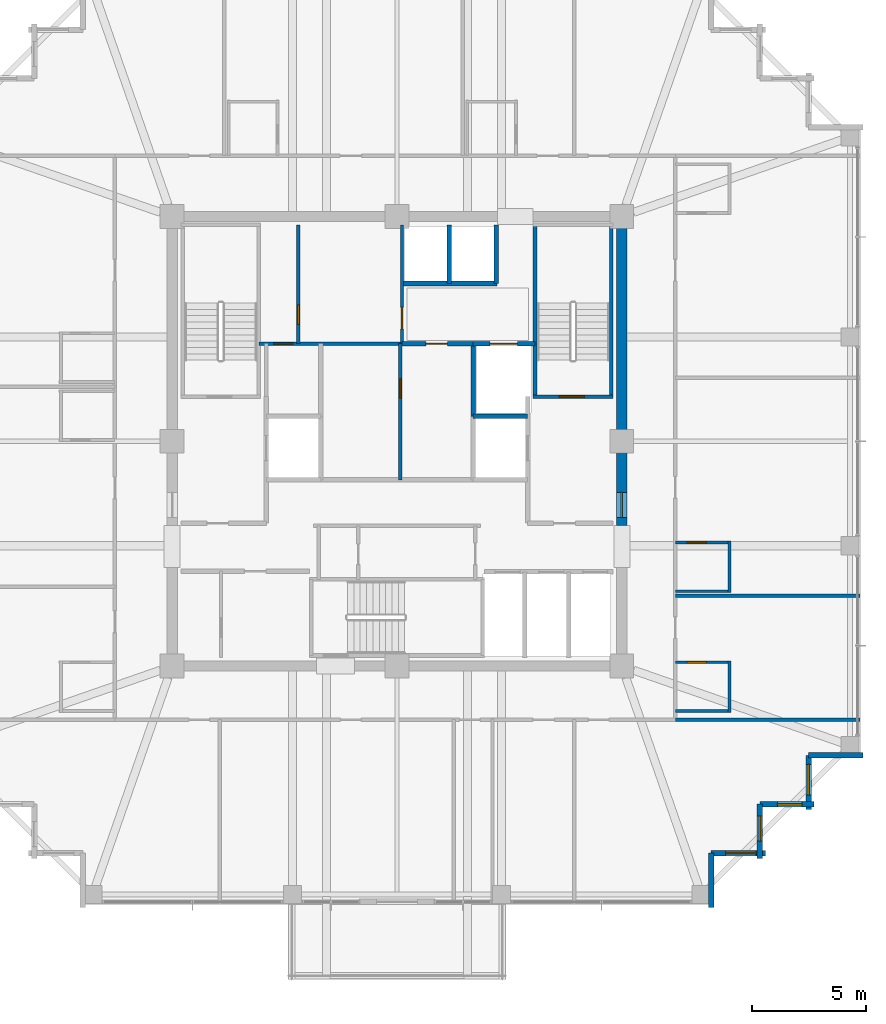
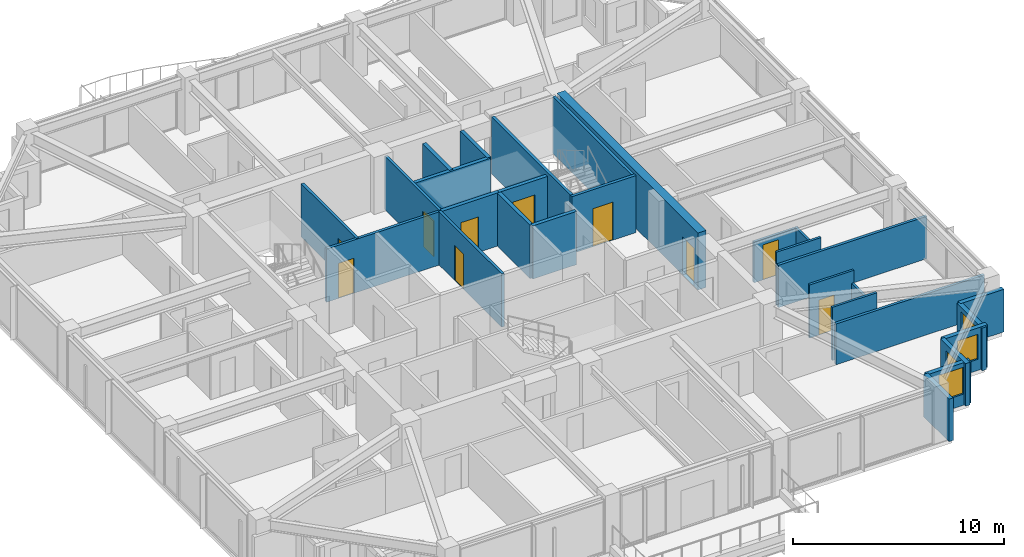
# One storey, part 32 of 36: 29 walls, 10 doors, 4 windows, 14 openings.
"""IFC4 building model written with IfcOpenShell, lengths in metres."""

from ifc_helpers import new_model, si_unit, direction, frame, frame_2d, origin, place, context, subcontext, project, spatial, rectangle, extrude, material, layer, layer_set, type_object, element, fill, save


model = new_model("IFC4")

# Units and contexts
model_context = context("Model", 3, precision=1e-05, world=origin(), true_north=direction((0.0, 1.0)))
body_context = subcontext(model_context, "Body", "Model", "MODEL_VIEW")
ifc_project = project(units=[si_unit("LENGTHUNIT", "METRE"), si_unit("AREAUNIT", "SQUARE_METRE"), si_unit("VOLUMEUNIT", "CUBIC_METRE"), si_unit("PLANEANGLEUNIT", "RADIAN"), si_unit("MASSUNIT", "GRAM", prefix="KILO")], contexts=[model_context])

# Site, building, storey
site_placement = place(None, origin())
site = spatial("IfcSite", under=ifc_project, at=site_placement, CompositionType="ELEMENT")
building_placement = place(site_placement, origin())
building = spatial("IfcBuilding", under=site, at=building_placement, Name="Kolvaren Belvedere", CompositionType="ELEMENT")
storey_placement = place(building_placement, frame((0.0, 0.0, 226.199951171875)))
storey = spatial("IfcBuildingStorey", under=building, at=storey_placement, Name="L66", CompositionType="ELEMENT", Elevation=226.199951171875)

# Wall, opening, door
ifc_material_1 = material(Name="Concrete C50/60", Category="concrete")
ifc_layer_1 = layer(ifc_material_1, 0.449951171875)
ifc_layer_set_1 = layer_set([ifc_layer_1], Name="Concrete C50/60")
wall_type_1 = type_object("IfcWallType", Name="CW-CORE-450", PredefinedType="SHEAR", material=ifc_layer_set_1)
wall_1_placement = place(storey_placement, frame((9.89990234375, -3.699951171875, 0.0), z_axis=(0.0, 0.0, 1.0), x_axis=(0.0, 1.0, 0.0)))
wall_1 = element("IfcWall", 1, at=wall_1_placement, inside=storey, type_object=wall_type_1, Name="L66 East Core Shear Wall 2", PredefinedType="SHEAR", context=body_context, shape_type="SweptSolid", body=[
    extrude(rectangle(XDim=13.375, YDim=0.449951171875, at=frame_2d((6.6875, 0.0))), origin(), (0.0, 0.0, 1.0), 3.300048828125),
])
opening_1_placement = place(wall_1_placement, frame((0.35009765625, 0.0, 0.0)))
opening_1 = element("IfcOpeningElement", 2, at=opening_1_placement, cuts=wall_1, Name="Opening D-FD90", PredefinedType="OPENING", context=body_context, shape_type="SweptSolid", body=[
    extrude(rectangle(XDim=1.10009765625, YDim=2.199951171875, at=frame_2d((0.550048828125, 1.10009765625))), frame((0.0, 0.23486328125, 0.0), z_axis=(0.0, -1.0, 0.0), x_axis=(1.0, 0.0, 0.0)), (0.0, 0.0, 1.0), 0.469970703125),
])
ifc_material_2 = material(Name="Painted hollow stainless steel", Category="steel")
door_type_1 = type_object("IfcDoorType", Name="DR-FD90-1100", OperationType="NOTDEFINED", PredefinedType="DOOR", material=ifc_material_2)
door_1_placement = place(opening_1_placement, origin())
door_1 = element("IfcDoor", 3, at=door_1_placement, inside=storey, type_object=door_type_1, Name="L66 East Firefighting Lobby Fire Door", OperationType="SINGLE_SWING_RIGHT", OverallHeight=2.199951171875, OverallWidth=1.10009765625, PredefinedType="DOOR", context=body_context, shape_type="SweptSolid", body=[
    extrude(rectangle(XDim=1.10009765625, YDim=2.199951171875, at=frame_2d((0.550048828125, 1.10009765625))), frame((0.0, 0.02490234375, 0.0), z_axis=(0.0, -1.0, 0.0), x_axis=(1.0, 0.0, 0.0)), (0.0, 0.0, 1.0), 0.050048828125),
])
fill(opening_1, door_1)

ifc_material_3 = material(Name="Concrete C50/60", Category="concrete")
ifc_layer_2 = layer(ifc_material_3, 0.159912109375)
ifc_layer_set_2 = layer_set([ifc_layer_2], Name="Concrete C50/60")
wall_type_2 = type_object("IfcWallType", Name="CW-STAIR-160", PredefinedType="SHEAR", material=ifc_layer_set_2)
wall_2_placement = place(storey_placement, frame((6.0, 1.969970703125, 0.0), z_axis=(0.0, 0.0, 1.0), x_axis=(1.0, 0.0, 0.0)))
wall_2 = element("IfcWall", 4, at=wall_2_placement, inside=storey, type_object=wall_type_2, Name="L66 Stair ST-2 South Shear Wall", PredefinedType="SHEAR", context=body_context, shape_type="SweptSolid", body=[
    extrude(rectangle(XDim=3.52001953125, YDim=0.159912109375, at=frame_2d((1.760009765625, 0.0))), origin(), (0.0, 0.0, 1.0), 3.300048828125),
])
opening_2_placement = place(wall_2_placement, frame((1.14990234375, 0.0, 0.0)))
opening_2 = element("IfcOpeningElement", 5, at=opening_2_placement, cuts=wall_2, Name="Opening D-FD90", PredefinedType="OPENING", context=body_context, shape_type="SweptSolid", body=[
    extrude(rectangle(XDim=1.10009765625, YDim=2.199951171875, at=frame_2d((0.550048828125, 1.10009765625))), frame((0.0, 0.08984375, 0.0), z_axis=(0.0, -1.0, 0.0), x_axis=(1.0, 0.0, 0.0)), (0.0, 0.0, 1.0), 0.179931640625),
])
door_2_placement = place(opening_2_placement, origin())
door_2 = element("IfcDoor", 6, at=door_2_placement, inside=storey, type_object=door_type_1, Name="L66 Stair ST-2 Fire Door", OperationType="SINGLE_SWING_RIGHT", OverallHeight=2.199951171875, OverallWidth=1.10009765625, PredefinedType="DOOR", context=body_context, shape_type="SweptSolid", body=[
    extrude(rectangle(XDim=1.10009765625, YDim=2.199951171875, at=frame_2d((0.550048828125, 1.10009765625))), frame((0.0, 0.02490234375, 0.0), z_axis=(0.0, -1.0, 0.0), x_axis=(1.0, 0.0, 0.0)), (0.0, 0.0, 1.0), 0.050048828125),
])
fill(opening_2, door_2)

# Walls
for number, where, z_axis, x_axis, name in (
    (7, (6.080078125, 1.969970703125, 0.0), (0.0, 0.0, 1.0), (0.0, 1.0, 0.0), "L66 Stair ST-2 West Shear Wall"),
    (8, (9.429931640625, 1.969970703125, 0.0), (0.0, 0.0, 1.0), (0.0, 1.0, 0.0), "L66 Stair ST-2 East Shear Wall"),
):
    element("IfcWall", number, at=place(storey_placement, frame(where, z_axis=z_axis, x_axis=x_axis)), inside=storey, type_object=wall_type_2, Name=name, PredefinedType="SHEAR", context=body_context, shape_type="SweptSolid", body=[
        extrude(rectangle(XDim=7.56005859375, YDim=0.159912109375, at=frame_2d((3.780029296875, 0.0))), origin(), (0.0, 0.0, 1.0), 3.300048828125),
    ])
ifc_material_4 = material(Name="Insulated pale-metal facade wall assembly", Category="aluminium")
ifc_layer_3 = layer(ifc_material_4, 0.239990234375)
ifc_layer_set_3 = layer_set([ifc_layer_3], Name="Insulated pale-metal facade wall assembly")
wall_type_3 = type_object("IfcWallType", Name="WL-EXT-240", PredefinedType="STANDARD", material=ifc_layer_set_3)
wall_3_placement = place(storey_placement, frame((13.830078125, -18.1298828125, 0.0), z_axis=(0.0, 0.0, 1.0), x_axis=(0.0, -1.0, 0.0)))
element("IfcWall", 9, at=wall_3_placement, inside=storey, type_object=wall_type_3, Name="L66 Serrated Corner Facade Wall 2", PredefinedType="STANDARD", context=body_context, shape_type="SweptSolid", body=[
    extrude(rectangle(XDim=2.39013671875, YDim=0.239990234375, at=frame_2d((1.195068359375, 0.0))), origin(), (0.0, 0.0, 1.0), 2.463134765625),
])

# Wall, opening, window
wall_4_placement = place(storey_placement, frame((16.219970703125, -18.1298828125, 0.0), z_axis=(0.0, 0.0, 1.0), x_axis=(-1.0, 0.0, 0.0)))
wall_4 = element("IfcWall", 10, at=wall_4_placement, inside=storey, type_object=wall_type_3, Name="L66 Serrated Corner Facade Wall 3", PredefinedType="STANDARD", context=body_context, shape_type="SweptSolid", body=[
    extrude(rectangle(XDim=2.389892578125, YDim=0.239990234375, at=frame_2d((1.19482421875, 0.0))), origin(), (0.0, 0.0, 1.0), 2.463134765625),
])
opening_3_placement = place(wall_4_placement, frame((0.39990234375, 0.0, 0.64990234375)))
opening_3 = element("IfcOpeningElement", 11, at=opening_3_placement, cuts=wall_4, Name="Opening W-1350", PredefinedType="OPENING", context=body_context, shape_type="SweptSolid", body=[
    extrude(rectangle(XDim=1.35009765625, YDim=1.550048828125, at=frame_2d((0.675048828125, 0.77490234375))), frame((0.0, 0.1298828125, 0.0), z_axis=(0.0, -1.0, 0.0), x_axis=(1.0, 0.0, 0.0)), (0.0, 0.0, 1.0), 0.260009765625),
])
ifc_material_5 = material(Name="Low-iron triple insulated glass", Category="glass")
window_type_1 = type_object("IfcWindowType", Name="WN-CORN-1350", PartitioningType="SINGLE_PANEL", PredefinedType="WINDOW", material=ifc_material_5)
window_1_placement = place(opening_3_placement, origin())
window_1 = element("IfcWindow", 12, at=window_1_placement, inside=storey, type_object=window_type_1, Name="L66 Serrated Corner Vision Window 3", OverallHeight=1.550048828125, OverallWidth=1.35009765625, PartitioningType="SINGLE_PANEL", PredefinedType="WINDOW", context=body_context, shape_type="SweptSolid", body=[
    extrude(rectangle(XDim=1.35009765625, YDim=1.550048828125, at=frame_2d((0.675048828125, 0.77490234375))), frame((0.0, 0.030029296875, 0.0), z_axis=(0.0, -1.0, 0.0), x_axis=(1.0, 0.0, 0.0)), (0.0, 0.0, 1.0), 0.06005859375),
])
fill(opening_3, window_1)

wall_5_placement = place(storey_placement, frame((15.97998046875, -15.97998046875, 0.0), z_axis=(0.0, 0.0, 1.0), x_axis=(0.0, -1.0, 0.0)))
wall_5 = element("IfcWall", 13, at=wall_5_placement, inside=storey, type_object=wall_type_3, Name="L66 Serrated Corner Facade Wall 4", PredefinedType="STANDARD", context=body_context, shape_type="SweptSolid", body=[
    extrude(rectangle(XDim=2.39013671875, YDim=0.239990234375, at=frame_2d((1.195068359375, 0.0))), origin(), (0.0, 0.0, 1.0), 2.463134765625),
])
opening_4_placement = place(wall_5_placement, frame((0.52490234375, 0.0, 0.64990234375)))
opening_4 = element("IfcOpeningElement", 14, at=opening_4_placement, cuts=wall_5, Name="Opening W-1100", PredefinedType="OPENING", context=body_context, shape_type="SweptSolid", body=[
    extrude(rectangle(XDim=1.10009765625, YDim=1.449951171875, at=frame_2d((0.550048828125, 0.72509765625))), frame((0.0, 0.1298828125, 0.0), z_axis=(0.0, -1.0, 0.0), x_axis=(1.0, 0.0, 0.0)), (0.0, 0.0, 1.0), 0.260009765625),
])
ifc_material_6 = material(Name="Low-iron triple insulated glass", Category="glass")
window_type_2 = type_object("IfcWindowType", Name="WN-CORN-1100", PartitioningType="SINGLE_PANEL", PredefinedType="WINDOW", material=ifc_material_6)
window_2_placement = place(opening_4_placement, origin())
window_2 = element("IfcWindow", 15, at=window_2_placement, inside=storey, type_object=window_type_2, Name="L66 Serrated Corner Vision Window 4", OverallHeight=1.449951171875, OverallWidth=1.10009765625, PartitioningType="SINGLE_PANEL", PredefinedType="WINDOW", context=body_context, shape_type="SweptSolid", body=[
    extrude(rectangle(XDim=1.10009765625, YDim=1.449951171875, at=frame_2d((0.550048828125, 0.72509765625))), frame((0.0, 0.030029296875, 0.0), z_axis=(0.0, -1.0, 0.0), x_axis=(1.0, 0.0, 0.0)), (0.0, 0.0, 1.0), 0.06005859375),
])
fill(opening_4, window_2)

wall_6_placement = place(storey_placement, frame((18.3701171875, -15.97998046875, 0.0), z_axis=(0.0, 0.0, 1.0), x_axis=(-1.0, 0.0, 0.0)))
wall_6 = element("IfcWall", 16, at=wall_6_placement, inside=storey, type_object=wall_type_3, Name="L66 Serrated Corner Facade Wall 5", PredefinedType="STANDARD", context=body_context, shape_type="SweptSolid", body=[
    extrude(rectangle(XDim=2.39013671875, YDim=0.239990234375, at=frame_2d((1.195068359375, 0.0))), origin(), (0.0, 0.0, 1.0), 2.463134765625),
])
opening_5_placement = place(wall_6_placement, frame((0.52490234375, 0.0, 0.64990234375)))
opening_5 = element("IfcOpeningElement", 17, at=opening_5_placement, cuts=wall_6, Name="Opening W-1100", PredefinedType="OPENING", context=body_context, shape_type="SweptSolid", body=[
    extrude(rectangle(XDim=1.10009765625, YDim=1.449951171875, at=frame_2d((0.550048828125, 0.72509765625))), frame((0.0, 0.1298828125, 0.0), z_axis=(0.0, -1.0, 0.0), x_axis=(1.0, 0.0, 0.0)), (0.0, 0.0, 1.0), 0.260009765625),
])
window_3_placement = place(opening_5_placement, origin())
window_3 = element("IfcWindow", 18, at=window_3_placement, inside=storey, type_object=window_type_2, Name="L66 Serrated Corner Vision Window 5", OverallHeight=1.449951171875, OverallWidth=1.10009765625, PartitioningType="SINGLE_PANEL", PredefinedType="WINDOW", context=body_context, shape_type="SweptSolid", body=[
    extrude(rectangle(XDim=1.10009765625, YDim=1.449951171875, at=frame_2d((0.550048828125, 0.72509765625))), frame((0.0, 0.030029296875, 0.0), z_axis=(0.0, -1.0, 0.0), x_axis=(1.0, 0.0, 0.0)), (0.0, 0.0, 1.0), 0.06005859375),
])
fill(opening_5, window_3)

wall_7_placement = place(storey_placement, frame((18.1298828125, -13.830078125, 0.0), z_axis=(0.0, 0.0, 1.0), x_axis=(0.0, -1.0, 0.0)))
wall_7 = element("IfcWall", 19, at=wall_7_placement, inside=storey, type_object=wall_type_3, Name="L66 Serrated Corner Facade Wall 6", PredefinedType="STANDARD", context=body_context, shape_type="SweptSolid", body=[
    extrude(rectangle(XDim=2.389892578125, YDim=0.239990234375, at=frame_2d((1.19482421875, 0.0))), origin(), (0.0, 0.0, 1.0), 2.463134765625),
])
opening_6_placement = place(wall_7_placement, frame((0.39990234375, 0.0, 0.64990234375)))
opening_6 = element("IfcOpeningElement", 20, at=opening_6_placement, cuts=wall_7, Name="Opening W-1350", PredefinedType="OPENING", context=body_context, shape_type="SweptSolid", body=[
    extrude(rectangle(XDim=1.35009765625, YDim=1.550048828125, at=frame_2d((0.675048828125, 0.77490234375))), frame((0.0, 0.1298828125, 0.0), z_axis=(0.0, -1.0, 0.0), x_axis=(1.0, 0.0, 0.0)), (0.0, 0.0, 1.0), 0.260009765625),
])
window_4_placement = place(opening_6_placement, origin())
window_4 = element("IfcWindow", 21, at=window_4_placement, inside=storey, type_object=window_type_1, Name="L66 Serrated Corner Vision Window 6", OverallHeight=1.550048828125, OverallWidth=1.35009765625, PartitioningType="SINGLE_PANEL", PredefinedType="WINDOW", context=body_context, shape_type="SweptSolid", body=[
    extrude(rectangle(XDim=1.35009765625, YDim=1.550048828125, at=frame_2d((0.675048828125, 0.77490234375))), frame((0.0, 0.030029296875, 0.0), z_axis=(0.0, -1.0, 0.0), x_axis=(1.0, 0.0, 0.0)), (0.0, 0.0, 1.0), 0.06005859375),
])
fill(opening_6, window_4)

# Wall
wall_8_placement = place(storey_placement, frame((20.52001953125, -13.830078125, 0.0), z_axis=(0.0, 0.0, 1.0), x_axis=(-1.0, 0.0, 0.0)))
element("IfcWall", 22, at=wall_8_placement, inside=storey, type_object=wall_type_3, Name="L66 Serrated Corner Facade Wall 7", PredefinedType="STANDARD", context=body_context, shape_type="SweptSolid", body=[
    extrude(rectangle(XDim=2.39013671875, YDim=0.239990234375, at=frame_2d((1.195068359375, 0.0))), origin(), (0.0, 0.0, 1.0), 2.463134765625),
])

# Wall, opening, door
ifc_material_7 = material(Name="Gypsum acoustic partition assembly", Category="gypsum")
ifc_layer_4 = layer(ifc_material_7, 0.14990234375)
ifc_layer_set_4 = layer_set([ifc_layer_4], Name="Gypsum acoustic partition assembly")
wall_type_4 = type_object("IfcWallType", Name="WL-PART-150", PredefinedType="PARTITIONING", material=ifc_layer_set_4)
wall_9_placement = place(storey_placement, frame((-6.080078125, 4.300048828125, 0.0), z_axis=(0.0, 0.0, 1.0), x_axis=(1.0, 0.0, 0.0)))
wall_9 = element("IfcWall", 23, at=wall_9_placement, inside=storey, type_object=wall_type_4, Name="L66 Reclaimed Salon South Wall", PredefinedType="PARTITIONING", context=body_context, shape_type="SweptSolid", body=[
    extrude(rectangle(XDim=6.300048828125, YDim=0.14990234375, at=frame_2d((3.14990234375, 0.0))), origin(), (0.0, 0.0, 1.0), 3.080078125),
])
opening_7_placement = place(wall_9_placement, frame((0.64990234375, 0.0, 0.0)))
opening_7 = element("IfcOpeningElement", 24, at=opening_7_placement, cuts=wall_9, Name="Opening D-INT85", PredefinedType="OPENING", context=body_context, shape_type="SweptSolid", body=[
    extrude(rectangle(XDim=0.85009765625, YDim=2.030029296875, at=frame_2d((0.425048828125, 1.01513671875))), frame((0.0, 0.0849609375, 0.0), z_axis=(0.0, -1.0, 0.0), x_axis=(1.0, 0.0, 0.0)), (0.0, 0.0, 1.0), 0.169921875),
])
ifc_material_8 = material(Name="Stained Pacific white oak", Category="timber")
door_type_2 = type_object("IfcDoorType", Name="DR-INT-850", OperationType="NOTDEFINED", PredefinedType="DOOR", material=ifc_material_8)
door_3_placement = place(opening_7_placement, origin())
door_3 = element("IfcDoor", 25, at=door_3_placement, inside=storey, type_object=door_type_2, Name="L66 NW Core Store Door", OperationType="SINGLE_SWING_RIGHT", OverallHeight=2.030029296875, OverallWidth=0.85009765625, PredefinedType="DOOR", context=body_context, shape_type="SweptSolid", body=[
    extrude(rectangle(XDim=0.85009765625, YDim=2.030029296875, at=frame_2d((0.425048828125, 1.01513671875))), frame((0.0, 0.02490234375, 0.0), z_axis=(0.0, -1.0, 0.0), x_axis=(1.0, 0.0, 0.0)), (0.0, 0.0, 1.0), 0.050048828125),
])
fill(opening_7, door_3)

wall_10_placement = place(storey_placement, frame((0.219970703125, 4.300048828125, 0.0), z_axis=(0.0, 0.0, 1.0), x_axis=(0.0, 1.0, 0.0)))
wall_10 = element("IfcWall", 26, at=wall_10_placement, inside=storey, type_object=wall_type_4, Name="L66 Reclaimed Salon East Wall", PredefinedType="PARTITIONING", context=body_context, shape_type="SweptSolid", body=[
    extrude(rectangle(XDim=5.219970703125, YDim=0.14990234375, at=frame_2d((2.60986328125, 0.0))), origin(), (0.0, 0.0, 1.0), 3.080078125),
])
opening_8_placement = place(wall_10_placement, frame((0.64990234375, 0.0, 0.0)))
opening_8 = element("IfcOpeningElement", 27, at=opening_8_placement, cuts=wall_10, Name="Opening D-INT95", PredefinedType="OPENING", context=body_context, shape_type="SweptSolid", body=[
    extrude(rectangle(XDim=0.949951171875, YDim=2.06005859375, at=frame_2d((0.47509765625, 1.030029296875))), frame((0.0, 0.0849609375, 0.0), z_axis=(0.0, -1.0, 0.0), x_axis=(1.0, 0.0, 0.0)), (0.0, 0.0, 1.0), 0.169921875),
])
ifc_material_9 = material(Name="Stained Pacific white oak", Category="timber")
door_type_3 = type_object("IfcDoorType", Name="DR-INT-950", OperationType="NOTDEFINED", PredefinedType="DOOR", material=ifc_material_9)
door_4_placement = place(opening_8_placement, origin())
door_4 = element("IfcDoor", 28, at=door_4_placement, inside=storey, type_object=door_type_3, Name="L66 Art Salon Door", OperationType="SINGLE_SWING_LEFT", OverallHeight=2.06005859375, OverallWidth=0.949951171875, PredefinedType="DOOR", context=body_context, shape_type="SweptSolid", body=[
    extrude(rectangle(XDim=0.949951171875, YDim=2.06005859375, at=frame_2d((0.47509765625, 1.030029296875))), frame((0.0, 0.02490234375, 0.0), z_axis=(0.0, -1.0, 0.0), x_axis=(1.0, 0.0, 0.0)), (0.0, 0.0, 1.0), 0.050048828125),
])
fill(opening_8, door_4)

wall_11_placement = place(storey_placement, frame((-4.35009765625, 4.300048828125, 0.0), z_axis=(0.0, 0.0, 1.0), x_axis=(0.0, 1.0, 0.0)))
wall_11 = element("IfcWall", 29, at=wall_11_placement, inside=storey, type_object=wall_type_4, Name="L66 Reclaimed Archive Divider", PredefinedType="PARTITIONING", context=body_context, shape_type="SweptSolid", body=[
    extrude(rectangle(XDim=5.219970703125, YDim=0.14990234375, at=frame_2d((2.60986328125, 0.0))), origin(), (0.0, 0.0, 1.0), 3.080078125),
])
opening_9_placement = place(wall_11_placement, frame((0.85009765625, 0.0, 0.0)))
opening_9 = element("IfcOpeningElement", 30, at=opening_9_placement, cuts=wall_11, Name="Opening D-INT85", PredefinedType="OPENING", context=body_context, shape_type="SweptSolid", body=[
    extrude(rectangle(XDim=0.85009765625, YDim=2.030029296875, at=frame_2d((0.425048828125, 1.01513671875))), frame((0.0, 0.0849609375, 0.0), z_axis=(0.0, -1.0, 0.0), x_axis=(1.0, 0.0, 0.0)), (0.0, 0.0, 1.0), 0.169921875),
])
door_5_placement = place(opening_9_placement, origin())
door_5 = element("IfcDoor", 31, at=door_5_placement, inside=storey, type_object=door_type_2, Name="L66 Archive Store Door", OperationType="SINGLE_SWING_RIGHT", OverallHeight=2.030029296875, OverallWidth=0.85009765625, PredefinedType="DOOR", context=body_context, shape_type="SweptSolid", body=[
    extrude(rectangle(XDim=0.85009765625, YDim=2.030029296875, at=frame_2d((0.425048828125, 1.01513671875))), frame((0.0, 0.02490234375, 0.0), z_axis=(0.0, -1.0, 0.0), x_axis=(1.0, 0.0, 0.0)), (0.0, 0.0, 1.0), 0.050048828125),
])
fill(opening_9, door_5)

wall_12_placement = place(storey_placement, frame((0.14990234375, -1.699951171875, 0.0), z_axis=(0.0, 0.0, 1.0), x_axis=(0.0, 1.0, 0.0)))
wall_12 = element("IfcWall", 32, at=wall_12_placement, inside=storey, type_object=wall_type_4, Name="L66 Central Core V-Divider", PredefinedType="PARTITIONING", context=body_context, shape_type="SweptSolid", body=[
    extrude(rectangle(XDim=6.0, YDim=0.14990234375, at=frame_2d((3.0, 0.0))), origin(), (0.0, 0.0, 1.0), 3.080078125),
])
opening_10_placement = place(wall_12_placement, frame((3.60009765625, 0.0, 0.0)))
opening_10 = element("IfcOpeningElement", 33, at=opening_10_placement, cuts=wall_12, Name="Opening D-INT85", PredefinedType="OPENING", context=body_context, shape_type="SweptSolid", body=[
    extrude(rectangle(XDim=0.85009765625, YDim=2.030029296875, at=frame_2d((0.425048828125, 1.01513671875))), frame((0.0, 0.0849609375, 0.0), z_axis=(0.0, -1.0, 0.0), x_axis=(1.0, 0.0, 0.0)), (0.0, 0.0, 1.0), 0.169921875),
])
door_6_placement = place(opening_10_placement, origin())
door_6 = element("IfcDoor", 34, at=door_6_placement, inside=storey, type_object=door_type_2, Name="L66 Central Linen Door", OperationType="SINGLE_SWING_RIGHT", OverallHeight=2.030029296875, OverallWidth=0.85009765625, PredefinedType="DOOR", context=body_context, shape_type="SweptSolid", body=[
    extrude(rectangle(XDim=0.85009765625, YDim=2.030029296875, at=frame_2d((0.425048828125, 1.01513671875))), frame((0.0, 0.02490234375, 0.0), z_axis=(0.0, -1.0, 0.0), x_axis=(1.0, 0.0, 0.0)), (0.0, 0.0, 1.0), 0.050048828125),
])
fill(opening_10, door_6)

# Walls
wall_13_placement = place(storey_placement, frame((12.260009765625, -12.260009765625, 0.0), z_axis=(0.0, 0.0, 1.0), x_axis=(1.0, 0.0, 0.0)))
element("IfcWall", 35, at=wall_13_placement, inside=storey, type_object=wall_type_4, Name="L66 Wing Divider PW-L66-QSE", PredefinedType="PARTITIONING", context=body_context, shape_type="SweptSolid", body=[
    extrude(rectangle(XDim=8.119873046875, YDim=0.14990234375, at=frame_2d((4.06005859375, 0.0))), origin(), (0.0, 0.0, 1.0), 2.369140625),
])
wall_14_placement = place(storey_placement, frame((12.260009765625, -6.800048828125, 0.0), z_axis=(0.0, 0.0, 1.0), x_axis=(1.0, 0.0, 0.0)))
element("IfcWall", 36, at=wall_14_placement, inside=storey, type_object=wall_type_4, Name="L66 East Suite Demising Wall 1", PredefinedType="PARTITIONING", context=body_context, shape_type="SweptSolid", body=[
    extrude(rectangle(XDim=8.119873046875, YDim=0.14990234375, at=frame_2d((4.06005859375, 0.0))), origin(), (0.0, 0.0, 1.0), 2.453125),
])
ifc_material_10 = material(Name="Concrete C50/60", Category="concrete")
ifc_layer_5 = layer(ifc_material_10, 0.199951171875)
ifc_layer_set_5 = layer_set([ifc_layer_5], Name="Concrete C50/60")
wall_type_5 = type_object("IfcWallType", Name="WL-SHAFT-200", PredefinedType="SOLIDWALL", material=ifc_layer_set_5)
wall_15_placement = place(storey_placement, frame((3.35009765625, 1.10009765625, 0.0), z_axis=(0.0, 0.0, 1.0), x_axis=(1.0, 0.0, 0.0)))
element("IfcWall", 37, at=wall_15_placement, inside=storey, type_object=wall_type_5, Name="L66 FSAE FS2 North Wall", PredefinedType="SOLIDWALL", context=body_context, shape_type="SweptSolid", body=[
    extrude(rectangle(XDim=2.39990234375, YDim=0.199951171875, at=frame_2d((1.199951171875, 0.0))), origin(), (0.0, 0.0, 1.0), 3.080078125),
])

# Wall, opening, door
wall_16_placement = place(storey_placement, frame((3.35009765625, 4.300048828125, 0.0), z_axis=(0.0, 0.0, 1.0), x_axis=(1.0, 0.0, 0.0)))
wall_16 = element("IfcWall", 38, at=wall_16_placement, inside=storey, type_object=wall_type_5, Name="L66 Service Lift SV1 Front Wall", PredefinedType="SOLIDWALL", context=body_context, shape_type="SweptSolid", body=[
    extrude(rectangle(XDim=2.72998046875, YDim=0.199951171875, at=frame_2d((1.364990234375, 0.0))), origin(), (0.0, 0.0, 1.0), 3.080078125),
])
opening_11_placement = place(wall_16_placement, frame((0.75, 0.0, 0.0)))
opening_11 = element("IfcOpeningElement", 39, at=opening_11_placement, cuts=wall_16, Name="Opening LD-12", PredefinedType="OPENING", context=body_context, shape_type="SweptSolid", body=[
    extrude(rectangle(XDim=1.199951171875, YDim=2.25, at=frame_2d((0.60009765625, 1.125))), frame((0.0, 0.10986328125, 0.0), z_axis=(0.0, -1.0, 0.0), x_axis=(1.0, 0.0, 0.0)), (0.0, 0.0, 1.0), 0.219970703125),
])
ifc_material_11 = material(Name="Brushed stainless steel", Category="steel")
door_type_4 = type_object("IfcDoorType", Name="DR-LIFT-1200", OperationType="DOUBLE_DOOR_SLIDING", PredefinedType="DOOR", material=ifc_material_11)
door_7_placement = place(opening_11_placement, origin())
door_7 = element("IfcDoor", 40, at=door_7_placement, inside=storey, type_object=door_type_4, Name="L66 Service Lift SV1 Landing Door", OperationType="DOUBLE_DOOR_SLIDING", OverallHeight=2.25, OverallWidth=1.199951171875, PredefinedType="DOOR", context=body_context, shape_type="SweptSolid", body=[
    extrude(rectangle(XDim=1.199951171875, YDim=2.25, at=frame_2d((0.60009765625, 1.125))), frame((0.0, 0.02490234375, 0.0), z_axis=(0.0, -1.0, 0.0), x_axis=(1.0, 0.0, 0.0)), (0.0, 0.0, 1.0), 0.050048828125),
])
fill(opening_11, door_7)

# Walls
wall_17_placement = place(storey_placement, frame((0.219970703125, 6.949951171875, 0.0), z_axis=(0.0, 0.0, 1.0), x_axis=(1.0, 0.0, 0.0)))
element("IfcWall", 41, at=wall_17_placement, inside=storey, type_object=wall_type_5, Name="L66 Express Shuttle Hoistway Wall", PredefinedType="SOLIDWALL", context=body_context, shape_type="SweptSolid", body=[
    extrude(rectangle(XDim=4.179931640625, YDim=0.199951171875, at=frame_2d((2.08984375, 0.0))), origin(), (0.0, 0.0, 1.0), 3.080078125),
])
for number, where, z_axis, x_axis, name in (
    (42, (4.3798828125, 6.949951171875, 0.0), (0.0, 0.0, 1.0), (0.0, 1.0, 0.0), "L66 Express Shuttle East Wall"),
    (43, (2.31005859375, 6.949951171875, 0.0), (0.0, 0.0, 1.0), (0.0, 1.0, 0.0), "L66 Express Shuttle Divider"),
):
    element("IfcWall", number, at=place(storey_placement, frame(where, z_axis=z_axis, x_axis=x_axis)), inside=storey, type_object=wall_type_5, Name=name, PredefinedType="SOLIDWALL", context=body_context, shape_type="SweptSolid", body=[
        extrude(rectangle(XDim=2.570068359375, YDim=0.199951171875, at=frame_2d((1.28515625, 0.0))), origin(), (0.0, 0.0, 1.0), 3.080078125),
    ])

# Wall, opening, door
wall_18_placement = place(storey_placement, frame((0.219970703125, 4.300048828125, 0.0), z_axis=(0.0, 0.0, 1.0), x_axis=(1.0, 0.0, 0.0)))
wall_18 = element("IfcWall", 44, at=wall_18_placement, inside=storey, type_object=wall_type_5, Name="L66 Central Core Room North Wall", PredefinedType="SOLIDWALL", context=body_context, shape_type="SweptSolid", body=[
    extrude(rectangle(XDim=3.130126953125, YDim=0.199951171875, at=frame_2d((1.56494140625, 0.0))), origin(), (0.0, 0.0, 1.0), 3.080078125),
])
opening_12_placement = place(wall_18_placement, frame((1.050048828125, 0.0, 0.0)))
opening_12 = element("IfcOpeningElement", 45, at=opening_12_placement, cuts=wall_18, Name="Opening D-FD60", PredefinedType="OPENING", context=body_context, shape_type="SweptSolid", body=[
    extrude(rectangle(XDim=0.949951171875, YDim=2.06005859375, at=frame_2d((0.47509765625, 1.030029296875))), frame((0.0, 0.10986328125, 0.0), z_axis=(0.0, -1.0, 0.0), x_axis=(1.0, 0.0, 0.0)), (0.0, 0.0, 1.0), 0.219970703125),
])
ifc_material_12 = material(Name="Acoustic white-oak fire door leaf", Category="timber")
door_type_5 = type_object("IfcDoorType", Name="DR-FD60-950", OperationType="NOTDEFINED", PredefinedType="DOOR", material=ifc_material_12)
door_8_placement = place(opening_12_placement, origin())
door_8 = element("IfcDoor", 46, at=door_8_placement, inside=storey, type_object=door_type_5, Name="L66 Central Core Controls Door", OperationType="SINGLE_SWING_LEFT", OverallHeight=2.06005859375, OverallWidth=0.949951171875, PredefinedType="DOOR", context=body_context, shape_type="SweptSolid", body=[
    extrude(rectangle(XDim=0.949951171875, YDim=2.06005859375, at=frame_2d((0.47509765625, 1.030029296875))), frame((0.0, 0.02490234375, 0.0), z_axis=(0.0, -1.0, 0.0), x_axis=(1.0, 0.0, 0.0)), (0.0, 0.0, 1.0), 0.050048828125),
])
fill(opening_12, door_8)

# Wall
wall_19_placement = place(storey_placement, frame((3.35009765625, 1.10009765625, 0.0), z_axis=(0.0, 0.0, 1.0), x_axis=(0.0, 1.0, 0.0)))
element("IfcWall", 47, at=wall_19_placement, inside=storey, type_object=wall_type_5, Name="L66 Central Core Room East Wall", PredefinedType="SOLIDWALL", context=body_context, shape_type="SweptSolid", body=[
    extrude(rectangle(XDim=3.199951171875, YDim=0.199951171875, at=frame_2d((1.60009765625, 0.0))), origin(), (0.0, 0.0, 1.0), 3.080078125),
])

# Wall, opening, door
ifc_material_13 = material(Name="Moisture-resistant gypsum partition", Category="gypsum")
ifc_layer_6 = layer(ifc_material_13, 0.125)
ifc_layer_set_6 = layer_set([ifc_layer_6], Name="Moisture-resistant gypsum partition")
wall_type_6 = type_object("IfcWallType", Name="WL-WET-125", PredefinedType="PARTITIONING", material=ifc_layer_set_6)
wall_20_placement = place(storey_placement, frame((12.27490234375, -9.73095703125, 0.0), z_axis=(0.0, 0.0, 1.0), x_axis=(1.0, 0.0, 0.0)))
wall_20 = element("IfcWall", 48, at=wall_20_placement, inside=storey, type_object=wall_type_6, Name="L66 Bathroom Partition PW-L66-BTH-4-N", PredefinedType="PARTITIONING", context=body_context, shape_type="SweptSolid", body=[
    extrude(rectangle(XDim=2.440185546875, YDim=0.125, at=frame_2d((1.22021484375, 0.0))), origin(), (0.0, 0.0, 1.0), 3.080078125),
])
opening_13_placement = place(wall_20_placement, frame((0.5, 0.0, 0.0)))
opening_13 = element("IfcOpeningElement", 49, at=opening_13_placement, cuts=wall_20, Name="Opening D-BTH85", PredefinedType="OPENING", context=body_context, shape_type="SweptSolid", body=[
    extrude(rectangle(XDim=0.85009765625, YDim=2.030029296875, at=frame_2d((0.425048828125, 1.01513671875))), frame((0.0, 0.072509765625, 0.0), z_axis=(0.0, -1.0, 0.0), x_axis=(1.0, 0.0, 0.0)), (0.0, 0.0, 1.0), 0.14501953125),
])
ifc_material_14 = material(Name="Moisture-sealed Pacific white oak", Category="timber")
door_type_6 = type_object("IfcDoorType", Name="DR-BATH-850", OperationType="NOTDEFINED", PredefinedType="DOOR", material=ifc_material_14)
door_9_placement = place(opening_13_placement, origin())
door_9 = element("IfcDoor", 50, at=door_9_placement, inside=storey, type_object=door_type_6, Name="L66 En-Suite Bathroom 6604 Door", OperationType="SINGLE_SWING_RIGHT", OverallHeight=2.030029296875, OverallWidth=0.85009765625, PredefinedType="DOOR", context=body_context, shape_type="SweptSolid", body=[
    extrude(rectangle(XDim=0.85009765625, YDim=2.030029296875, at=frame_2d((0.425048828125, 1.01513671875))), frame((0.0, 0.02490234375, 0.0), z_axis=(0.0, -1.0, 0.0), x_axis=(1.0, 0.0, 0.0)), (0.0, 0.0, 1.0), 0.050048828125),
])
fill(opening_13, door_9)

# Walls
wall_21_placement = place(storey_placement, frame((14.635009765625, -11.94091796875, 0.0), z_axis=(0.0, 0.0, 1.0), x_axis=(0.0, 1.0, 0.0)))
element("IfcWall", 51, at=wall_21_placement, inside=storey, type_object=wall_type_6, Name="L66 Bathroom Partition PW-L66-BTH-4-V", PredefinedType="PARTITIONING", context=body_context, shape_type="SweptSolid", body=[
    extrude(rectangle(XDim=2.27001953125, YDim=0.125, at=frame_2d((1.135009765625, 0.0))), origin(), (0.0, 0.0, 1.0), 2.369140625),
])
wall_22_placement = place(storey_placement, frame((12.27490234375, -11.881103515625, 0.0), z_axis=(0.0, 0.0, 1.0), x_axis=(1.0, 0.0, 0.0)))
element("IfcWall", 52, at=wall_22_placement, inside=storey, type_object=wall_type_6, Name="L66 Bathroom Partition PW-L66-BTH-4-S", PredefinedType="PARTITIONING", context=body_context, shape_type="SweptSolid", body=[
    extrude(rectangle(XDim=2.440185546875, YDim=0.125, at=frame_2d((1.22021484375, 0.0))), origin(), (0.0, 0.0, 1.0), 3.080078125),
])

# Wall, opening, door
wall_23_placement = place(storey_placement, frame((12.27490234375, -4.455078125, 0.0), z_axis=(0.0, 0.0, 1.0), x_axis=(1.0, 0.0, 0.0)))
wall_23 = element("IfcWall", 53, at=wall_23_placement, inside=storey, type_object=wall_type_6, Name="L66 Bathroom Partition PW-L66-BTH-5-N", PredefinedType="PARTITIONING", context=body_context, shape_type="SweptSolid", body=[
    extrude(rectangle(XDim=2.440185546875, YDim=0.125, at=frame_2d((1.22021484375, 0.0))), origin(), (0.0, 0.0, 1.0), 2.369140625),
])
opening_14_placement = place(wall_23_placement, frame((0.5, 0.0, 0.0)))
opening_14 = element("IfcOpeningElement", 54, at=opening_14_placement, cuts=wall_23, Name="Opening D-BTH85", PredefinedType="OPENING", context=body_context, shape_type="SweptSolid", body=[
    extrude(rectangle(XDim=0.85009765625, YDim=2.030029296875, at=frame_2d((0.425048828125, 1.01513671875))), frame((0.0, 0.072509765625, 0.0), z_axis=(0.0, -1.0, 0.0), x_axis=(1.0, 0.0, 0.0)), (0.0, 0.0, 1.0), 0.14501953125),
])
door_10_placement = place(opening_14_placement, origin())
door_10 = element("IfcDoor", 55, at=door_10_placement, inside=storey, type_object=door_type_6, Name="L66 En-Suite Bathroom 6605 Door", OperationType="SINGLE_SWING_RIGHT", OverallHeight=2.030029296875, OverallWidth=0.85009765625, PredefinedType="DOOR", context=body_context, shape_type="SweptSolid", body=[
    extrude(rectangle(XDim=0.85009765625, YDim=2.030029296875, at=frame_2d((0.425048828125, 1.01513671875))), frame((0.0, 0.02490234375, 0.0), z_axis=(0.0, -1.0, 0.0), x_axis=(1.0, 0.0, 0.0)), (0.0, 0.0, 1.0), 0.050048828125),
])
fill(opening_14, door_10)

# Walls
wall_24_placement = place(storey_placement, frame((14.635009765625, -6.6650390625, 0.0), z_axis=(0.0, 0.0, 1.0), x_axis=(0.0, 1.0, 0.0)))
element("IfcWall", 56, at=wall_24_placement, inside=storey, type_object=wall_type_6, Name="L66 Bathroom Partition PW-L66-BTH-5-V", PredefinedType="PARTITIONING", context=body_context, shape_type="SweptSolid", body=[
    extrude(rectangle(XDim=2.27001953125, YDim=0.125, at=frame_2d((1.135009765625, 0.0))), origin(), (0.0, 0.0, 1.0), 2.369140625),
])
wall_25_placement = place(storey_placement, frame((12.27490234375, -6.60498046875, 0.0), z_axis=(0.0, 0.0, 1.0), x_axis=(1.0, 0.0, 0.0)))
element("IfcWall", 57, at=wall_25_placement, inside=storey, type_object=wall_type_6, Name="L66 Bathroom Partition PW-L66-BTH-5-S", PredefinedType="PARTITIONING", context=body_context, shape_type="SweptSolid", body=[
    extrude(rectangle(XDim=2.440185546875, YDim=0.125, at=frame_2d((1.22021484375, 0.0))), origin(), (0.0, 0.0, 1.0), 3.080078125),
])

save(model, "model.ifc")
